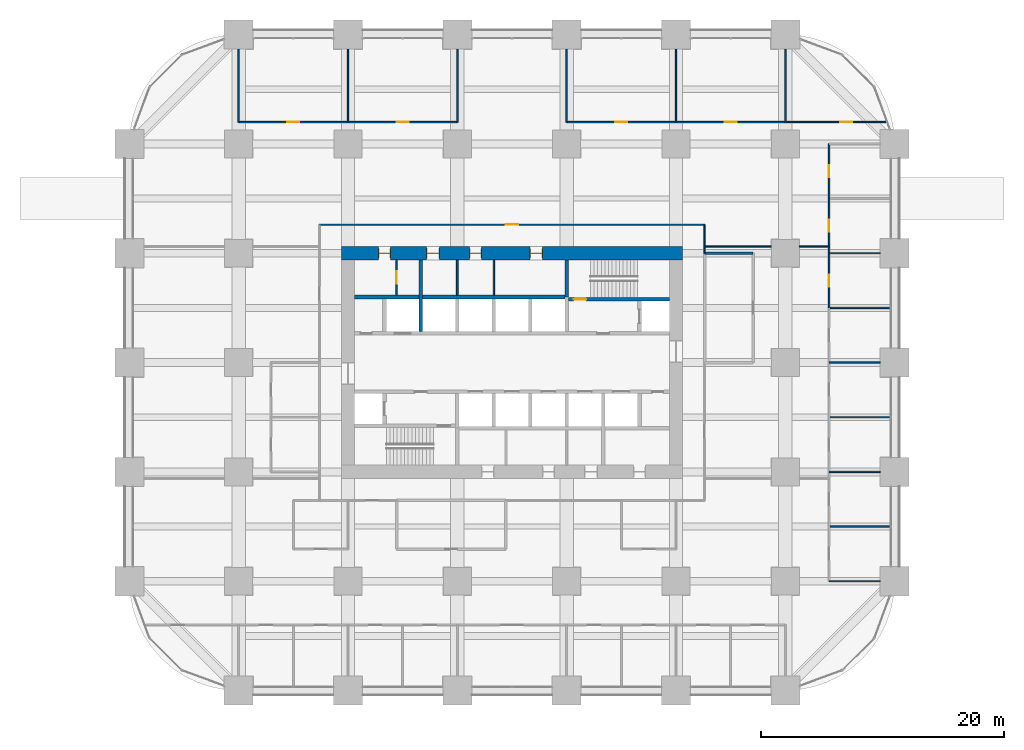
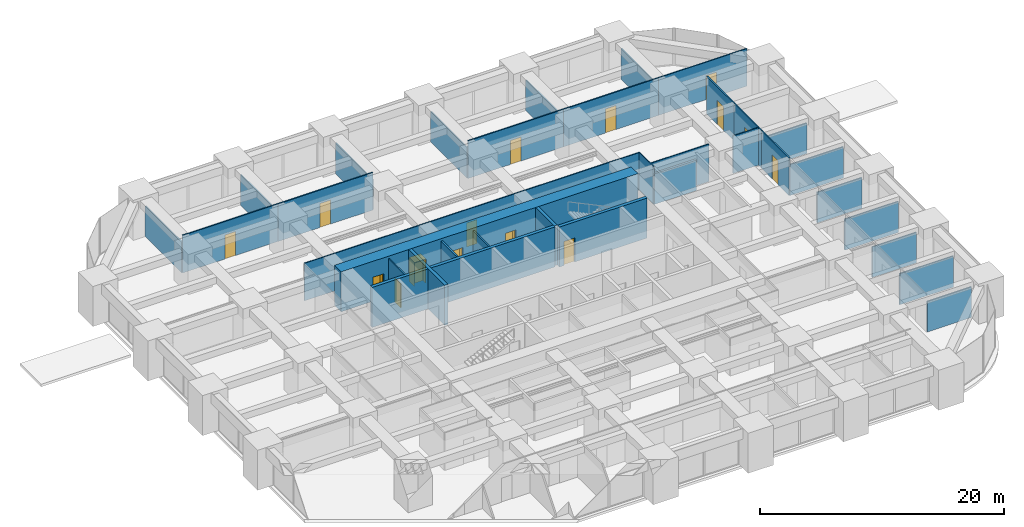
# One storey, part 36 of 39: 34 walls, 15 doors, 15 openings.
"""IFC4 building model written with IfcOpenShell, lengths in metres."""

from ifc_helpers import new_model, si_unit, direction, frame, frame_2d, origin, place, context, subcontext, project, spatial, rectangle, extrude, material, layer, layer_set, type_object, element, fill, save


model = new_model("IFC4")

# Units and contexts
model_context = context("Model", 3, precision=1e-05, world=origin(), true_north=direction((0.0, 1.0)))
body_context = subcontext(model_context, "Body", "Model", "MODEL_VIEW")
ifc_project = project(units=[si_unit("LENGTHUNIT", "METRE"), si_unit("AREAUNIT", "SQUARE_METRE"), si_unit("VOLUMEUNIT", "CUBIC_METRE"), si_unit("PLANEANGLEUNIT", "RADIAN"), si_unit("MASSUNIT", "GRAM", prefix="KILO")], contexts=[model_context])

# Site, building, storey
site_placement = place(None, origin())
site = spatial("IfcSite", under=ifc_project, at=site_placement, CompositionType="ELEMENT")
building_placement = place(site_placement, origin())
building = spatial("IfcBuilding", under=site, at=building_placement, Name="Zorevar Civic Tower", CompositionType="ELEMENT")
storey_placement = place(building_placement, frame((0.0, 0.0, 19.800048828125)))
storey = spatial("IfcBuildingStorey", under=building, at=storey_placement, Name="L04", CompositionType="ELEMENT", Elevation=19.800048828125)

# Wall
ifc_material_1 = material(Name="Concrete blockwork", Category="masonry")
ifc_layer_1 = layer(ifc_material_1, 0.199951171875)
ifc_layer_set_1 = layer_set([ifc_layer_1], Name="Blockwork wall 200")
wall_type_1 = type_object("IfcWallType", Name="Blockwork wall 200", PredefinedType="SOLIDWALL", material=ifc_layer_set_1)
wall_1_placement = place(storey_placement, frame((47.35009765625, 36.0, 0.0), z_axis=(0.0, 0.0, 1.0), x_axis=(1.0, 0.0, 0.0)))
element("IfcWall", 1, at=wall_1_placement, inside=storey, type_object=wall_type_1, Name="Blockwork wall 200 L04", PredefinedType="SOLIDWALL", context=body_context, shape_type="SweptSolid", body=[
    extrude(rectangle(XDim=4.0, YDim=0.199951171875, at=frame_2d((2.0, 0.0))), origin(), (0.0, 0.0, 1.0), 3.050048828125),
])

# Wall, openings, doors
ifc_material_2 = material(Name="Concrete C50/60", Category="concrete")
ifc_layer_2 = layer(ifc_material_2, 1.10009765625)
ifc_layer_set_2 = layer_set([ifc_layer_2], Name="Core wall 1100")
wall_type_2 = type_object("IfcWallType", Name="Core wall 1100", PredefinedType="SHEAR", material=ifc_layer_set_2)
wall_2_placement = place(storey_placement, frame((45.550048828125, 36.0, 0.0), z_axis=(0.0, 0.0, 1.0), x_axis=(-1.0, 0.0, 0.0)))
wall_2 = element("IfcWall", 2, at=wall_2_placement, inside=storey, type_object=wall_type_2, Name="Core wall N L04", PredefinedType="SHEAR", context=body_context, shape_type="SweptSolid", body=[
    extrude(rectangle(XDim=28.10009765625, YDim=1.10009765625, at=frame_2d((14.050048828125, 0.0))), origin(), (0.0, 0.0, 1.0), 4.0),
])
opening_1_placement = place(wall_2_placement, frame((11.550048828125, 0.0, 0.0)))
opening_1 = element("IfcOpeningElement", 3, at=opening_1_placement, cuts=wall_2, Name="Opening L04.07", PredefinedType="OPENING", context=body_context, shape_type="SweptSolid", body=[
    extrude(rectangle(XDim=1.0, YDim=2.39990234375, at=frame_2d((0.5, 1.199951171875))), frame((0.0, 0.56005859375, 0.0), z_axis=(0.0, -1.0, 0.0), x_axis=(1.0, 0.0, 0.0)), (0.0, 0.0, 1.0), 1.1201171875),
])
opening_2_placement = place(wall_2_placement, frame((16.550048828125, 0.0, 0.0)))
opening_2 = element("IfcOpeningElement", 4, at=opening_2_placement, cuts=wall_2, Name="Opening L04.08", PredefinedType="OPENING", context=body_context, shape_type="SweptSolid", body=[
    extrude(rectangle(XDim=1.0, YDim=2.39990234375, at=frame_2d((0.5, 1.199951171875))), frame((0.0, 0.56005859375, 0.0), z_axis=(0.0, -1.0, 0.0), x_axis=(1.0, 0.0, 0.0)), (0.0, 0.0, 1.0), 1.1201171875),
])
opening_3_placement = place(wall_2_placement, frame((20.0, 0.0, 0.0)))
opening_3 = element("IfcOpeningElement", 5, at=opening_3_placement, cuts=wall_2, Name="Opening L04.09", PredefinedType="OPENING", context=body_context, shape_type="SweptSolid", body=[
    extrude(rectangle(XDim=1.10009765625, YDim=2.39990234375, at=frame_2d((0.550048828125, 1.199951171875))), frame((0.0, 0.56005859375, 0.0), z_axis=(0.0, -1.0, 0.0), x_axis=(1.0, 0.0, 0.0)), (0.0, 0.0, 1.0), 1.1201171875),
])
opening_4_placement = place(wall_2_placement, frame((24.050048828125, 0.0, 0.0)))
opening_4 = element("IfcOpeningElement", 6, at=opening_4_placement, cuts=wall_2, Name="Opening L04.10", PredefinedType="OPENING", context=body_context, shape_type="SweptSolid", body=[
    extrude(rectangle(XDim=1.0, YDim=2.39990234375, at=frame_2d((0.5, 1.199951171875))), frame((0.0, 0.56005859375, 0.0), z_axis=(0.0, -1.0, 0.0), x_axis=(1.0, 0.0, 0.0)), (0.0, 0.0, 1.0), 1.1201171875),
])
ifc_material_3 = material(Name="Timber door set", Category="wood")
door_type_1 = type_object("IfcDoorType", Name="Door D1 1000x2400", OperationType="SINGLE_SWING_LEFT", PredefinedType="DOOR", material=ifc_material_3)
door_1_placement = place(opening_1_placement, origin())
door_1 = element("IfcDoor", 7, at=door_1_placement, inside=storey, type_object=door_type_1, Name="Door L04 06", OperationType="SINGLE_SWING_RIGHT", OverallHeight=2.39990234375, OverallWidth=1.0, PredefinedType="DOOR", context=body_context, shape_type="SweptSolid", body=[
    extrude(rectangle(XDim=1.0, YDim=2.39990234375, at=frame_2d((0.5, 1.199951171875))), frame((0.0, 0.02490234375, 0.0), z_axis=(0.0, -1.0, 0.0), x_axis=(1.0, 0.0, 0.0)), (0.0, 0.0, 1.0), 0.050048828125),
    extrude(rectangle(XDim=0.04, YDim=2.39990234375, at=frame_2d((0.02001953125, 1.199951171875))), frame((0.0, 0.39990234375, 0.0), z_axis=(0.0, -1.0, 0.0), x_axis=(1.0, 0.0, 0.0)), (0.0, 0.0, 1.0), 0.800048828125),
    extrude(rectangle(XDim=0.04, YDim=2.39990234375, at=frame_2d((0.97998046875, 1.199951171875))), frame((0.0, 0.39990234375, 0.0), z_axis=(0.0, -1.0, 0.0), x_axis=(1.0, 0.0, 0.0)), (0.0, 0.0, 1.0), 0.800048828125),
    extrude(rectangle(XDim=1.0, YDim=0.04, at=frame_2d((0.5, 2.3798828125))), frame((0.0, 0.39990234375, 0.0), z_axis=(0.0, -1.0, 0.0), x_axis=(1.0, 0.0, 0.0)), (0.0, 0.0, 1.0), 0.800048828125),
])
fill(opening_1, door_1)
door_2_placement = place(opening_2_placement, origin())
door_2 = element("IfcDoor", 8, at=door_2_placement, inside=storey, type_object=door_type_1, Name="Door L04 07", OperationType="SINGLE_SWING_LEFT", OverallHeight=2.39990234375, OverallWidth=1.0, PredefinedType="DOOR", context=body_context, shape_type="SweptSolid", body=[
    extrude(rectangle(XDim=1.0, YDim=2.39990234375, at=frame_2d((0.5, 1.199951171875))), frame((0.0, 0.02490234375, 0.0), z_axis=(0.0, -1.0, 0.0), x_axis=(1.0, 0.0, 0.0)), (0.0, 0.0, 1.0), 0.050048828125),
    extrude(rectangle(XDim=0.04, YDim=2.39990234375, at=frame_2d((0.02001953125, 1.199951171875))), frame((0.0, 0.39990234375, 0.0), z_axis=(0.0, -1.0, 0.0), x_axis=(1.0, 0.0, 0.0)), (0.0, 0.0, 1.0), 0.800048828125),
    extrude(rectangle(XDim=0.04, YDim=2.39990234375, at=frame_2d((0.97998046875, 1.199951171875))), frame((0.0, 0.39990234375, 0.0), z_axis=(0.0, -1.0, 0.0), x_axis=(1.0, 0.0, 0.0)), (0.0, 0.0, 1.0), 0.800048828125),
    extrude(rectangle(XDim=1.0, YDim=0.04, at=frame_2d((0.5, 2.3798828125))), frame((0.0, 0.39990234375, 0.0), z_axis=(0.0, -1.0, 0.0), x_axis=(1.0, 0.0, 0.0)), (0.0, 0.0, 1.0), 0.800048828125),
])
fill(opening_2, door_2)
door_3_placement = place(opening_4_placement, origin())
door_3 = element("IfcDoor", 9, at=door_3_placement, inside=storey, type_object=door_type_1, Name="Door L04 09", OperationType="SINGLE_SWING_LEFT", OverallHeight=2.39990234375, OverallWidth=1.0, PredefinedType="DOOR", context=body_context, shape_type="SweptSolid", body=[
    extrude(rectangle(XDim=1.0, YDim=2.39990234375, at=frame_2d((0.5, 1.199951171875))), frame((0.0, 0.02490234375, 0.0), z_axis=(0.0, -1.0, 0.0), x_axis=(1.0, 0.0, 0.0)), (0.0, 0.0, 1.0), 0.050048828125),
    extrude(rectangle(XDim=0.04, YDim=2.39990234375, at=frame_2d((0.02001953125, 1.199951171875))), frame((0.0, 0.39990234375, 0.0), z_axis=(0.0, -1.0, 0.0), x_axis=(1.0, 0.0, 0.0)), (0.0, 0.0, 1.0), 0.800048828125),
    extrude(rectangle(XDim=0.04, YDim=2.39990234375, at=frame_2d((0.97998046875, 1.199951171875))), frame((0.0, 0.39990234375, 0.0), z_axis=(0.0, -1.0, 0.0), x_axis=(1.0, 0.0, 0.0)), (0.0, 0.0, 1.0), 0.800048828125),
    extrude(rectangle(XDim=1.0, YDim=0.04, at=frame_2d((0.5, 2.3798828125))), frame((0.0, 0.39990234375, 0.0), z_axis=(0.0, -1.0, 0.0), x_axis=(1.0, 0.0, 0.0)), (0.0, 0.0, 1.0), 0.800048828125),
])
fill(opening_4, door_3)
ifc_material_4 = material(Name="Timber door set", Category="wood")
door_type_2 = type_object("IfcDoorType", Name="Door D5 1100x2400", OperationType="SINGLE_SWING_LEFT", PredefinedType="DOOR", material=ifc_material_4)
door_4_placement = place(opening_3_placement, origin())
door_4 = element("IfcDoor", 10, at=door_4_placement, inside=storey, type_object=door_type_2, Name="Door L04 08", OperationType="SINGLE_SWING_LEFT", OverallHeight=2.39990234375, OverallWidth=1.10009765625, PredefinedType="DOOR", context=body_context, shape_type="SweptSolid", body=[
    extrude(rectangle(XDim=1.10009765625, YDim=2.39990234375, at=frame_2d((0.550048828125, 1.199951171875))), frame((0.0, 0.02490234375, 0.0), z_axis=(0.0, -1.0, 0.0), x_axis=(1.0, 0.0, 0.0)), (0.0, 0.0, 1.0), 0.050048828125),
    extrude(rectangle(XDim=0.04, YDim=2.39990234375, at=frame_2d((0.02001953125, 1.199951171875))), frame((0.0, 0.43994140625, 0.0), z_axis=(0.0, -1.0, 0.0), x_axis=(1.0, 0.0, 0.0)), (0.0, 0.0, 1.0), 0.880126953125),
    extrude(rectangle(XDim=0.04, YDim=2.39990234375, at=frame_2d((1.080078125, 1.199951171875))), frame((0.0, 0.43994140625, 0.0), z_axis=(0.0, -1.0, 0.0), x_axis=(1.0, 0.0, 0.0)), (0.0, 0.0, 1.0), 0.880126953125),
    extrude(rectangle(XDim=1.10009765625, YDim=0.04, at=frame_2d((0.550048828125, 2.3798828125))), frame((0.0, 0.43994140625, 0.0), z_axis=(0.0, -1.0, 0.0), x_axis=(1.0, 0.0, 0.0)), (0.0, 0.0, 1.0), 0.880126953125),
])
fill(opening_3, door_4)

# Walls
ifc_material_5 = material(Name="Laminated glass in black aluminium frame", Category="aluminium")
ifc_layer_3 = layer(ifc_material_5, 0.10009765625)
ifc_layer_set_3 = layer_set([ifc_layer_3], Name="Glazed partition 100")
wall_type_3 = type_object("IfcWallType", Name="Glazed partition 100", PredefinedType="PARTITIONING", material=ifc_layer_set_3)
wall_3_placement = place(storey_placement, frame((47.35009765625, 36.550048828125, 0.0), z_axis=(0.0, 0.0, 1.0), x_axis=(1.0, 0.0, 0.0)))
element("IfcWall", 11, at=wall_3_placement, inside=storey, type_object=wall_type_3, Name="Glazed partition 100 L04", PredefinedType="PARTITIONING", context=body_context, shape_type="SweptSolid", body=[
    extrude(rectangle(XDim=5.5, YDim=0.10009765625, at=frame_2d((2.75, 0.0))), origin(), (0.0, 0.0, 1.0), 3.75),
])
wall_4_placement = place(storey_placement, frame((55.14990234375, 36.550048828125, 0.0), z_axis=(0.0, 0.0, 1.0), x_axis=(1.0, 0.0, 0.0)))
element("IfcWall", 12, at=wall_4_placement, inside=storey, type_object=wall_type_3, Name="Glazed partition 100 L04", PredefinedType="PARTITIONING", context=body_context, shape_type="SweptSolid", body=[
    extrude(rectangle(XDim=2.460205078125, YDim=0.10009765625, at=frame_2d((1.22998046875, 0.0))), origin(), (0.0, 0.0, 1.0), 3.75),
])

# Wall, opening, door
wall_5_placement = place(storey_placement, frame((15.64990234375, 38.35009765625, 0.0), z_axis=(0.0, 0.0, 1.0), x_axis=(1.0, 0.0, 0.0)))
wall_5 = element("IfcWall", 13, at=wall_5_placement, inside=storey, type_object=wall_type_3, Name="Glazed partition 100 L04", PredefinedType="PARTITIONING", context=body_context, shape_type="SweptSolid", body=[
    extrude(rectangle(XDim=31.7001953125, YDim=0.10009765625, at=frame_2d((15.85009765625, 0.0))), origin(), (0.0, 0.0, 1.0), 3.75),
])
opening_5_placement = place(wall_5_placement, frame((15.35009765625, 0.0, 0.0)))
opening_5 = element("IfcOpeningElement", 14, at=opening_5_placement, cuts=wall_5, Name="Opening L04.31", PredefinedType="OPENING", context=body_context, shape_type="SweptSolid", body=[
    extrude(rectangle(XDim=1.0, YDim=2.39990234375, at=frame_2d((0.5, 1.199951171875))), frame((0.0, 0.06005859375, 0.0), z_axis=(0.0, -1.0, 0.0), x_axis=(1.0, 0.0, 0.0)), (0.0, 0.0, 1.0), 0.1201171875),
])
ifc_material_6 = material(Name="Timber door set", Category="wood")
door_type_3 = type_object("IfcDoorType", Name="Glazed door GD1 1000x2400", OperationType="SINGLE_SWING_LEFT", PredefinedType="DOOR", material=ifc_material_6)
door_5_placement = place(opening_5_placement, origin())
door_5 = element("IfcDoor", 15, at=door_5_placement, inside=storey, type_object=door_type_3, Name="Door L04 D1", OperationType="SINGLE_SWING_LEFT", OverallHeight=2.39990234375, OverallWidth=1.0, PredefinedType="DOOR", context=body_context, shape_type="SweptSolid", body=[
    extrude(rectangle(XDim=1.0, YDim=2.39990234375, at=frame_2d((0.5, 1.199951171875))), frame((0.0, 0.02001953125, 0.0), z_axis=(0.0, -1.0, 0.0), x_axis=(1.0, 0.0, 0.0)), (0.0, 0.0, 1.0), 0.0400390625),
])
fill(opening_5, door_5)

wall_6_placement = place(storey_placement, frame((54.0, 46.800048828125, 0.0), z_axis=(0.0, 0.0, 1.0), x_axis=(1.0, 0.0, 0.0)))
wall_6 = element("IfcWall", 16, at=wall_6_placement, inside=storey, type_object=wall_type_3, Name="Glazed partition 100 L04", PredefinedType="PARTITIONING", context=body_context, shape_type="SweptSolid", body=[
    extrude(rectangle(XDim=8.359375, YDim=0.10009765625, at=frame_2d((4.1796875, 0.0))), origin(), (0.0, 0.0, 1.0), 3.75),
])
opening_6_placement = place(wall_6_placement, frame((4.5, 0.0, 0.0)))
opening_6 = element("IfcOpeningElement", 17, at=opening_6_placement, cuts=wall_6, Name="Opening L04.36", PredefinedType="OPENING", context=body_context, shape_type="SweptSolid", body=[
    extrude(rectangle(XDim=1.0, YDim=2.39990234375, at=frame_2d((0.5, 1.199951171875))), frame((0.0, 0.06005859375, 0.0), z_axis=(0.0, -1.0, 0.0), x_axis=(1.0, 0.0, 0.0)), (0.0, 0.0, 1.0), 0.1201171875),
])
door_6_placement = place(opening_6_placement, origin())
door_6 = element("IfcDoor", 18, at=door_6_placement, inside=storey, type_object=door_type_3, Name="Door L04 D1", OperationType="SINGLE_SWING_RIGHT", OverallHeight=2.39990234375, OverallWidth=1.0, PredefinedType="DOOR", context=body_context, shape_type="SweptSolid", body=[
    extrude(rectangle(XDim=1.0, YDim=2.39990234375, at=frame_2d((0.5, 1.199951171875))), frame((0.0, 0.02001953125, 0.0), z_axis=(0.0, -1.0, 0.0), x_axis=(1.0, 0.0, 0.0)), (0.0, 0.0, 1.0), 0.0400390625),
])
fill(opening_6, door_6)

# Wall
wall_7_placement = place(storey_placement, frame((47.35009765625, 36.0, 0.0), z_axis=(0.0, 0.0, 1.0), x_axis=(0.0, 1.0, 0.0)))
element("IfcWall", 19, at=wall_7_placement, inside=storey, type_object=wall_type_3, Name="Glazed partition 100 L04", PredefinedType="PARTITIONING", context=body_context, shape_type="SweptSolid", body=[
    extrude(rectangle(XDim=2.35009765625, YDim=0.10009765625, at=frame_2d((1.175048828125, 0.0))), origin(), (0.0, 0.0, 1.0), 3.75),
])

# Wall, opening, door
ifc_material_7 = material(Name="Concrete C40/50", Category="concrete")
ifc_layer_4 = layer(ifc_material_7, 0.300048828125)
ifc_layer_set_4 = layer_set([ifc_layer_4], Name="Inner core wall 300")
wall_type_4 = type_object("IfcWallType", Name="Inner core wall 300", PredefinedType="SHEAR", material=ifc_layer_set_4)
wall_8_placement = place(storey_placement, frame((36.14990234375, 32.199951171875, 0.0), z_axis=(0.0, 0.0, 1.0), x_axis=(1.0, 0.0, 0.0)))
wall_8 = element("IfcWall", 20, at=wall_8_placement, inside=storey, type_object=wall_type_4, Name="Inner core wall N00 L04", PredefinedType="SHEAR", context=body_context, shape_type="SweptSolid", body=[
    extrude(rectangle(XDim=8.300048828125, YDim=0.300048828125, at=frame_2d((4.14990234375, 0.0))), origin(), (0.0, 0.0, 1.0), 4.0),
])
opening_7_placement = place(wall_8_placement, frame((0.449951171875, 0.0, 0.0)))
opening_7 = element("IfcOpeningElement", 21, at=opening_7_placement, cuts=wall_8, Name="Opening L04.12", PredefinedType="OPENING", context=body_context, shape_type="SweptSolid", body=[
    extrude(rectangle(XDim=1.0, YDim=2.39990234375, at=frame_2d((0.5, 1.199951171875))), frame((0.0, 0.159912109375, 0.0), z_axis=(0.0, -1.0, 0.0), x_axis=(1.0, 0.0, 0.0)), (0.0, 0.0, 1.0), 0.320068359375),
])
ifc_material_8 = material(Name="Steel door set", Category="steel")
door_type_4 = type_object("IfcDoorType", Name="Fire door FD1 1000x2400", OperationType="SINGLE_SWING_LEFT", PredefinedType="DOOR", material=ifc_material_8)
door_7_placement = place(opening_7_placement, origin())
door_7 = element("IfcDoor", 22, at=door_7_placement, inside=storey, type_object=door_type_4, Name="Door L04 11", OperationType="SINGLE_SWING_RIGHT", OverallHeight=2.39990234375, OverallWidth=1.0, PredefinedType="DOOR", context=body_context, shape_type="SweptSolid", body=[
    extrude(rectangle(XDim=1.0, YDim=2.39990234375, at=frame_2d((0.5, 1.199951171875))), frame((0.0, 0.030029296875, 0.0), z_axis=(0.0, -1.0, 0.0), x_axis=(1.0, 0.0, 0.0)), (0.0, 0.0, 1.0), 0.06005859375),
])
fill(opening_7, door_7)

# Walls
wall_9_placement = place(storey_placement, frame((36.0, 32.39990234375, 0.0), z_axis=(0.0, 0.0, 1.0), x_axis=(0.0, 1.0, 0.0)))
element("IfcWall", 23, at=wall_9_placement, inside=storey, type_object=wall_type_4, Name="Inner core wall N01 L04", PredefinedType="SHEAR", context=body_context, shape_type="SweptSolid", body=[
    extrude(rectangle(XDim=3.050048828125, YDim=0.300048828125, at=frame_2d((1.52490234375, 0.0))), origin(), (0.0, 0.0, 1.0), 4.0),
])
wall_10_placement = place(storey_placement, frame((18.550048828125, 32.39990234375, 0.0), z_axis=(0.0, 0.0, 1.0), x_axis=(1.0, 0.0, 0.0)))
element("IfcWall", 24, at=wall_10_placement, inside=storey, type_object=wall_type_4, Name="Inner core wall N04 L04", PredefinedType="SHEAR", context=body_context, shape_type="SweptSolid", body=[
    extrude(rectangle(XDim=17.300048828125, YDim=0.300048828125, at=frame_2d((8.64990234375, 0.0))), origin(), (0.0, 0.0, 1.0), 4.0),
])
wall_11_placement = place(storey_placement, frame((24.0, 29.550048828125, 0.0), z_axis=(0.0, 0.0, 1.0), x_axis=(0.0, 1.0, 0.0)))
element("IfcWall", 25, at=wall_11_placement, inside=storey, type_object=wall_type_4, Name="Inner core wall N08 L04", PredefinedType="SHEAR", context=body_context, shape_type="SweptSolid", body=[
    extrude(rectangle(XDim=5.89990234375, YDim=0.300048828125, at=frame_2d((2.949951171875, 0.0))), origin(), (0.0, 0.0, 1.0), 4.0),
])
ifc_material_9 = material(Name="Gypsum board on steel studs", Category="steel")
ifc_layer_5 = layer(ifc_material_9, 0.1201171875)
ifc_layer_set_5 = layer_set([ifc_layer_5], Name="Partition 120")
wall_type_5 = type_object("IfcWallType", Name="Partition 120", PredefinedType="PARTITIONING", material=ifc_layer_set_5)
wall_12_placement = place(storey_placement, frame((57.60009765625, 9.0, 0.0), z_axis=(0.0, 0.0, 1.0), x_axis=(1.0, 0.0, 0.0)))
element("IfcWall", 26, at=wall_12_placement, inside=storey, type_object=wall_type_5, Name="Partition 120 L04", PredefinedType="PARTITIONING", context=body_context, shape_type="SweptSolid", body=[
    extrude(rectangle(XDim=4.199951171875, YDim=0.1201171875, at=frame_2d((2.10009765625, 0.0))), origin(), (0.0, 0.0, 1.0), 3.050048828125),
])
wall_13_placement = place(storey_placement, frame((57.60009765625, 13.5, 0.0), z_axis=(0.0, 0.0, 1.0), x_axis=(1.0, 0.0, 0.0)))
element("IfcWall", 27, at=wall_13_placement, inside=storey, type_object=wall_type_5, Name="Partition 120 L04", PredefinedType="PARTITIONING", context=body_context, shape_type="SweptSolid", body=[
    extrude(rectangle(XDim=5.08984375, YDim=0.1201171875, at=frame_2d((2.544921875, 0.0))), origin(), (0.0, 0.0, 1.0), 3.099853515625),
])
wall_14_placement = place(storey_placement, frame((57.60009765625, 18.0, 0.0), z_axis=(0.0, 0.0, 1.0), x_axis=(1.0, 0.0, 0.0)))
element("IfcWall", 28, at=wall_14_placement, inside=storey, type_object=wall_type_5, Name="Partition 120 L04", PredefinedType="PARTITIONING", context=body_context, shape_type="SweptSolid", body=[
    extrude(rectangle(XDim=4.199951171875, YDim=0.1201171875, at=frame_2d((2.10009765625, 0.0))), origin(), (0.0, 0.0, 1.0), 3.050048828125),
])
wall_15_placement = place(storey_placement, frame((57.60009765625, 22.5, 0.0), z_axis=(0.0, 0.0, 1.0), x_axis=(1.0, 0.0, 0.0)))
element("IfcWall", 29, at=wall_15_placement, inside=storey, type_object=wall_type_5, Name="Partition 120 L04", PredefinedType="PARTITIONING", context=body_context, shape_type="SweptSolid", body=[
    extrude(rectangle(XDim=5.08984375, YDim=0.1201171875, at=frame_2d((2.544921875, 0.0))), origin(), (0.0, 0.0, 1.0), 3.099853515625),
])
wall_16_placement = place(storey_placement, frame((57.60009765625, 27.0, 0.0), z_axis=(0.0, 0.0, 1.0), x_axis=(1.0, 0.0, 0.0)))
element("IfcWall", 30, at=wall_16_placement, inside=storey, type_object=wall_type_5, Name="Partition 120 L04", PredefinedType="PARTITIONING", context=body_context, shape_type="SweptSolid", body=[
    extrude(rectangle(XDim=4.199951171875, YDim=0.1201171875, at=frame_2d((2.10009765625, 0.0))), origin(), (0.0, 0.0, 1.0), 3.050048828125),
])
wall_17_placement = place(storey_placement, frame((57.60009765625, 31.5, 0.0), z_axis=(0.0, 0.0, 1.0), x_axis=(1.0, 0.0, 0.0)))
element("IfcWall", 31, at=wall_17_placement, inside=storey, type_object=wall_type_5, Name="Partition 120 L04", PredefinedType="PARTITIONING", context=body_context, shape_type="SweptSolid", body=[
    extrude(rectangle(XDim=5.08984375, YDim=0.1201171875, at=frame_2d((2.544921875, 0.0))), origin(), (0.0, 0.0, 1.0), 3.099853515625),
])
wall_18_placement = place(storey_placement, frame((57.60009765625, 36.0, 0.0), z_axis=(0.0, 0.0, 1.0), x_axis=(1.0, 0.0, 0.0)))
element("IfcWall", 32, at=wall_18_placement, inside=storey, type_object=wall_type_5, Name="Partition 120 L04", PredefinedType="PARTITIONING", context=body_context, shape_type="SweptSolid", body=[
    extrude(rectangle(XDim=4.199951171875, YDim=0.1201171875, at=frame_2d((2.10009765625, 0.0))), origin(), (0.0, 0.0, 1.0), 3.050048828125),
])

# Wall, opening, door
wall_19_placement = place(storey_placement, frame((9.0, 46.800048828125, 0.0), z_axis=(0.0, 0.0, 1.0), x_axis=(1.0, 0.0, 0.0)))
wall_19 = element("IfcWall", 33, at=wall_19_placement, inside=storey, type_object=wall_type_5, Name="Partition 120 L04", PredefinedType="PARTITIONING", context=body_context, shape_type="SweptSolid", body=[
    extrude(rectangle(XDim=9.0, YDim=0.1201171875, at=frame_2d((4.5, 0.0))), origin(), (0.0, 0.0, 1.0), 3.75),
])
opening_8_placement = place(wall_19_placement, frame((4.0, 0.0, 0.0)))
opening_8 = element("IfcOpeningElement", 34, at=opening_8_placement, cuts=wall_19, Name="Opening L04.32", PredefinedType="OPENING", context=body_context, shape_type="SweptSolid", body=[
    extrude(rectangle(XDim=1.0, YDim=2.39990234375, at=frame_2d((0.5, 1.199951171875))), frame((0.0, 0.070068359375, 0.0), z_axis=(0.0, -1.0, 0.0), x_axis=(1.0, 0.0, 0.0)), (0.0, 0.0, 1.0), 0.14013671875),
])
door_8_placement = place(opening_8_placement, origin())
door_8 = element("IfcDoor", 35, at=door_8_placement, inside=storey, type_object=door_type_1, Name="Door L04 D1", OperationType="SINGLE_SWING_LEFT", OverallHeight=2.39990234375, OverallWidth=1.0, PredefinedType="DOOR", context=body_context, shape_type="SweptSolid", body=[
    extrude(rectangle(XDim=1.0, YDim=2.39990234375, at=frame_2d((0.5, 1.199951171875))), frame((0.0, 0.02490234375, 0.0), z_axis=(0.0, -1.0, 0.0), x_axis=(1.0, 0.0, 0.0)), (0.0, 0.0, 1.0), 0.050048828125),
])
fill(opening_8, door_8)

wall_20_placement = place(storey_placement, frame((18.0, 46.800048828125, 0.0), z_axis=(0.0, 0.0, 1.0), x_axis=(1.0, 0.0, 0.0)))
wall_20 = element("IfcWall", 36, at=wall_20_placement, inside=storey, type_object=wall_type_5, Name="Partition 120 L04", PredefinedType="PARTITIONING", context=body_context, shape_type="SweptSolid", body=[
    extrude(rectangle(XDim=9.0, YDim=0.1201171875, at=frame_2d((4.5, 0.0))), origin(), (0.0, 0.0, 1.0), 3.75),
])
opening_9_placement = place(wall_20_placement, frame((4.0, 0.0, 0.0)))
opening_9 = element("IfcOpeningElement", 37, at=opening_9_placement, cuts=wall_20, Name="Opening L04.33", PredefinedType="OPENING", context=body_context, shape_type="SweptSolid", body=[
    extrude(rectangle(XDim=1.0, YDim=2.39990234375, at=frame_2d((0.5, 1.199951171875))), frame((0.0, 0.070068359375, 0.0), z_axis=(0.0, -1.0, 0.0), x_axis=(1.0, 0.0, 0.0)), (0.0, 0.0, 1.0), 0.14013671875),
])
door_9_placement = place(opening_9_placement, origin())
door_9 = element("IfcDoor", 38, at=door_9_placement, inside=storey, type_object=door_type_1, Name="Door L04 D1", OperationType="SINGLE_SWING_LEFT", OverallHeight=2.39990234375, OverallWidth=1.0, PredefinedType="DOOR", context=body_context, shape_type="SweptSolid", body=[
    extrude(rectangle(XDim=1.0, YDim=2.39990234375, at=frame_2d((0.5, 1.199951171875))), frame((0.0, 0.02490234375, 0.0), z_axis=(0.0, -1.0, 0.0), x_axis=(1.0, 0.0, 0.0)), (0.0, 0.0, 1.0), 0.050048828125),
])
fill(opening_9, door_9)

wall_21_placement = place(storey_placement, frame((36.0, 46.800048828125, 0.0), z_axis=(0.0, 0.0, 1.0), x_axis=(1.0, 0.0, 0.0)))
wall_21 = element("IfcWall", 39, at=wall_21_placement, inside=storey, type_object=wall_type_5, Name="Partition 120 L04", PredefinedType="PARTITIONING", context=body_context, shape_type="SweptSolid", body=[
    extrude(rectangle(XDim=9.0, YDim=0.1201171875, at=frame_2d((4.5, 0.0))), origin(), (0.0, 0.0, 1.0), 3.75),
])
opening_10_placement = place(wall_21_placement, frame((4.0, 0.0, 0.0)))
opening_10 = element("IfcOpeningElement", 40, at=opening_10_placement, cuts=wall_21, Name="Opening L04.34", PredefinedType="OPENING", context=body_context, shape_type="SweptSolid", body=[
    extrude(rectangle(XDim=1.0, YDim=2.39990234375, at=frame_2d((0.5, 1.199951171875))), frame((0.0, 0.070068359375, 0.0), z_axis=(0.0, -1.0, 0.0), x_axis=(1.0, 0.0, 0.0)), (0.0, 0.0, 1.0), 0.14013671875),
])
door_10_placement = place(opening_10_placement, origin())
door_10 = element("IfcDoor", 41, at=door_10_placement, inside=storey, type_object=door_type_1, Name="Door L04 D1", OperationType="SINGLE_SWING_RIGHT", OverallHeight=2.39990234375, OverallWidth=1.0, PredefinedType="DOOR", context=body_context, shape_type="SweptSolid", body=[
    extrude(rectangle(XDim=1.0, YDim=2.39990234375, at=frame_2d((0.5, 1.199951171875))), frame((0.0, 0.02490234375, 0.0), z_axis=(0.0, -1.0, 0.0), x_axis=(1.0, 0.0, 0.0)), (0.0, 0.0, 1.0), 0.050048828125),
])
fill(opening_10, door_10)

wall_22_placement = place(storey_placement, frame((45.0, 46.800048828125, 0.0), z_axis=(0.0, 0.0, 1.0), x_axis=(1.0, 0.0, 0.0)))
wall_22 = element("IfcWall", 42, at=wall_22_placement, inside=storey, type_object=wall_type_5, Name="Partition 120 L04", PredefinedType="PARTITIONING", context=body_context, shape_type="SweptSolid", body=[
    extrude(rectangle(XDim=9.0, YDim=0.1201171875, at=frame_2d((4.5, 0.0))), origin(), (0.0, 0.0, 1.0), 3.75),
])
opening_11_placement = place(wall_22_placement, frame((4.0, 0.0, 0.0)))
opening_11 = element("IfcOpeningElement", 43, at=opening_11_placement, cuts=wall_22, Name="Opening L04.35", PredefinedType="OPENING", context=body_context, shape_type="SweptSolid", body=[
    extrude(rectangle(XDim=1.0, YDim=2.39990234375, at=frame_2d((0.5, 1.199951171875))), frame((0.0, 0.070068359375, 0.0), z_axis=(0.0, -1.0, 0.0), x_axis=(1.0, 0.0, 0.0)), (0.0, 0.0, 1.0), 0.14013671875),
])
door_11_placement = place(opening_11_placement, origin())
door_11 = element("IfcDoor", 44, at=door_11_placement, inside=storey, type_object=door_type_1, Name="Door L04 D1", OperationType="SINGLE_SWING_RIGHT", OverallHeight=2.39990234375, OverallWidth=1.0, PredefinedType="DOOR", context=body_context, shape_type="SweptSolid", body=[
    extrude(rectangle(XDim=1.0, YDim=2.39990234375, at=frame_2d((0.5, 1.199951171875))), frame((0.0, 0.02490234375, 0.0), z_axis=(0.0, -1.0, 0.0), x_axis=(1.0, 0.0, 0.0)), (0.0, 0.0, 1.0), 0.050048828125),
])
fill(opening_11, door_11)

# Walls
for number, where, z_axis, x_axis, name in (
    (45, (9.0, 46.800048828125, 0.0), (0.0, 0.0, 1.0), (0.0, 1.0, 0.0), "Partition 120 L04"),
    (46, (18.0, 46.800048828125, 0.0), (0.0, 0.0, 1.0), (0.0, 1.0, 0.0), "Partition 120 L04"),
    (47, (27.0, 46.800048828125, 0.0), (0.0, 0.0, 1.0), (0.0, 1.0, 0.0), "Partition 120 L04"),
    (48, (36.0, 46.800048828125, 0.0), (0.0, 0.0, 1.0), (0.0, 1.0, 0.0), "Partition 120 L04"),
    (49, (45.0, 46.800048828125, 0.0), (0.0, 0.0, 1.0), (0.0, 1.0, 0.0), "Partition 120 L04"),
    (50, (54.0, 46.800048828125, 0.0), (0.0, 0.0, 1.0), (0.0, 1.0, 0.0), "Partition 120 L04"),
):
    element("IfcWall", number, at=place(storey_placement, frame(where, z_axis=z_axis, x_axis=x_axis)), inside=storey, type_object=wall_type_5, Name=name, PredefinedType="PARTITIONING", context=body_context, shape_type="SweptSolid", body=[
        extrude(rectangle(XDim=6.0, YDim=0.1201171875, at=frame_2d((3.0, 0.0))), origin(), (0.0, 0.0, 1.0), 3.050048828125),
    ])

# Wall, opening, door
wall_23_placement = place(storey_placement, frame((57.60009765625, 31.5, 0.0), z_axis=(0.0, 0.0, 1.0), x_axis=(0.0, 1.0, 0.0)))
wall_23 = element("IfcWall", 51, at=wall_23_placement, inside=storey, type_object=wall_type_5, Name="Partition 120 L04", PredefinedType="PARTITIONING", context=body_context, shape_type="SweptSolid", body=[
    extrude(rectangle(XDim=4.5, YDim=0.1201171875, at=frame_2d((2.25, 0.0))), origin(), (0.0, 0.0, 1.0), 3.75),
])
opening_12_placement = place(wall_23_placement, frame((1.75, 0.0, 0.0)))
opening_12 = element("IfcOpeningElement", 52, at=opening_12_placement, cuts=wall_23, Name="Opening L04.47", PredefinedType="OPENING", context=body_context, shape_type="SweptSolid", body=[
    extrude(rectangle(XDim=1.0, YDim=2.39990234375, at=frame_2d((0.5, 1.199951171875))), frame((0.0, 0.070068359375, 0.0), z_axis=(0.0, -1.0, 0.0), x_axis=(1.0, 0.0, 0.0)), (0.0, 0.0, 1.0), 0.14013671875),
])
door_12_placement = place(opening_12_placement, origin())
door_12 = element("IfcDoor", 53, at=door_12_placement, inside=storey, type_object=door_type_1, Name="Door L04 D1", OperationType="SINGLE_SWING_LEFT", OverallHeight=2.39990234375, OverallWidth=1.0, PredefinedType="DOOR", context=body_context, shape_type="SweptSolid", body=[
    extrude(rectangle(XDim=1.0, YDim=2.39990234375, at=frame_2d((0.5, 1.199951171875))), frame((0.0, 0.02490234375, 0.0), z_axis=(0.0, -1.0, 0.0), x_axis=(1.0, 0.0, 0.0)), (0.0, 0.0, 1.0), 0.050048828125),
])
fill(opening_12, door_12)

wall_24_placement = place(storey_placement, frame((57.60009765625, 36.0, 0.0), z_axis=(0.0, 0.0, 1.0), x_axis=(0.0, 1.0, 0.0)))
wall_24 = element("IfcWall", 54, at=wall_24_placement, inside=storey, type_object=wall_type_5, Name="Partition 120 L04", PredefinedType="PARTITIONING", context=body_context, shape_type="SweptSolid", body=[
    extrude(rectangle(XDim=4.5, YDim=0.1201171875, at=frame_2d((2.25, 0.0))), origin(), (0.0, 0.0, 1.0), 3.75),
])
opening_13_placement = place(wall_24_placement, frame((1.75, 0.0, 0.0)))
opening_13 = element("IfcOpeningElement", 55, at=opening_13_placement, cuts=wall_24, Name="Opening L04.48", PredefinedType="OPENING", context=body_context, shape_type="SweptSolid", body=[
    extrude(rectangle(XDim=1.0, YDim=2.39990234375, at=frame_2d((0.5, 1.199951171875))), frame((0.0, 0.070068359375, 0.0), z_axis=(0.0, -1.0, 0.0), x_axis=(1.0, 0.0, 0.0)), (0.0, 0.0, 1.0), 0.14013671875),
])
door_13_placement = place(opening_13_placement, origin())
door_13 = element("IfcDoor", 56, at=door_13_placement, inside=storey, type_object=door_type_1, Name="Door L04 D1", OperationType="SINGLE_SWING_RIGHT", OverallHeight=2.39990234375, OverallWidth=1.0, PredefinedType="DOOR", context=body_context, shape_type="SweptSolid", body=[
    extrude(rectangle(XDim=1.0, YDim=2.39990234375, at=frame_2d((0.5, 1.199951171875))), frame((0.0, 0.02490234375, 0.0), z_axis=(0.0, -1.0, 0.0), x_axis=(1.0, 0.0, 0.0)), (0.0, 0.0, 1.0), 0.050048828125),
])
fill(opening_13, door_13)

wall_25_placement = place(storey_placement, frame((57.60009765625, 40.5, 0.0), z_axis=(0.0, 0.0, 1.0), x_axis=(0.0, 1.0, 0.0)))
wall_25 = element("IfcWall", 57, at=wall_25_placement, inside=storey, type_object=wall_type_5, Name="Partition 120 L04", PredefinedType="PARTITIONING", context=body_context, shape_type="SweptSolid", body=[
    extrude(rectangle(XDim=4.5, YDim=0.1201171875, at=frame_2d((2.25, 0.0))), origin(), (0.0, 0.0, 1.0), 3.75),
])
opening_14_placement = place(wall_25_placement, frame((1.75, 0.0, 0.0)))
opening_14 = element("IfcOpeningElement", 58, at=opening_14_placement, cuts=wall_25, Name="Opening L04.49", PredefinedType="OPENING", context=body_context, shape_type="SweptSolid", body=[
    extrude(rectangle(XDim=1.0, YDim=2.39990234375, at=frame_2d((0.5, 1.199951171875))), frame((0.0, 0.070068359375, 0.0), z_axis=(0.0, -1.0, 0.0), x_axis=(1.0, 0.0, 0.0)), (0.0, 0.0, 1.0), 0.14013671875),
])
door_14_placement = place(opening_14_placement, origin())
door_14 = element("IfcDoor", 59, at=door_14_placement, inside=storey, type_object=door_type_1, Name="Door L04 D1", OperationType="SINGLE_SWING_LEFT", OverallHeight=2.39990234375, OverallWidth=1.0, PredefinedType="DOOR", context=body_context, shape_type="SweptSolid", body=[
    extrude(rectangle(XDim=1.0, YDim=2.39990234375, at=frame_2d((0.5, 1.199951171875))), frame((0.0, 0.02490234375, 0.0), z_axis=(0.0, -1.0, 0.0), x_axis=(1.0, 0.0, 0.0)), (0.0, 0.0, 1.0), 0.050048828125),
])
fill(opening_14, door_14)

# Wall
wall_26_placement = place(storey_placement, frame((30.0, 32.550048828125, 0.0), z_axis=(0.0, 0.0, 1.0), x_axis=(0.0, 1.0, 0.0)))
element("IfcWall", 60, at=wall_26_placement, inside=storey, type_object=wall_type_5, Name="Partition L04", PredefinedType="PARTITIONING", context=body_context, shape_type="SweptSolid", body=[
    extrude(rectangle(XDim=2.89990234375, YDim=0.1201171875, at=frame_2d((1.449951171875, 0.0))), origin(), (0.0, 0.0, 1.0), 3.75),
])

# Wall, opening, door
wall_27_placement = place(storey_placement, frame((22.0, 32.550048828125, 0.0), z_axis=(0.0, 0.0, 1.0), x_axis=(0.0, 1.0, 0.0)))
wall_27 = element("IfcWall", 61, at=wall_27_placement, inside=storey, type_object=wall_type_5, Name="Partition L04", PredefinedType="PARTITIONING", context=body_context, shape_type="SweptSolid", body=[
    extrude(rectangle(XDim=2.89990234375, YDim=0.1201171875, at=frame_2d((1.449951171875, 0.0))), origin(), (0.0, 0.0, 1.0), 3.75),
])
opening_15_placement = place(wall_27_placement, frame((0.949951171875, 0.0, 0.0)))
opening_15 = element("IfcOpeningElement", 62, at=opening_15_placement, cuts=wall_27, Name="Opening L04.50", PredefinedType="OPENING", context=body_context, shape_type="SweptSolid", body=[
    extrude(rectangle(XDim=1.0, YDim=2.39990234375, at=frame_2d((0.5, 1.199951171875))), frame((0.0, 0.070068359375, 0.0), z_axis=(0.0, -1.0, 0.0), x_axis=(1.0, 0.0, 0.0)), (0.0, 0.0, 1.0), 0.14013671875),
])
door_15_placement = place(opening_15_placement, origin())
door_15 = element("IfcDoor", 63, at=door_15_placement, inside=storey, type_object=door_type_4, Name="Door L04 EN", OperationType="SINGLE_SWING_LEFT", OverallHeight=2.39990234375, OverallWidth=1.0, PredefinedType="DOOR", context=body_context, shape_type="SweptSolid", body=[
    extrude(rectangle(XDim=1.0, YDim=2.39990234375, at=frame_2d((0.5, 1.199951171875))), frame((0.0, 0.030029296875, 0.0), z_axis=(0.0, -1.0, 0.0), x_axis=(1.0, 0.0, 0.0)), (0.0, 0.0, 1.0), 0.06005859375),
])
fill(opening_15, door_15)

# Wall
ifc_material_10 = material(Name="Gypsum board on steel studs, moisture resistant", Category="steel")
ifc_layer_6 = layer(ifc_material_10, 0.14990234375)
ifc_layer_set_6 = layer_set([ifc_layer_6], Name="WC partition 150")
wall_type_6 = type_object("IfcWallType", Name="WC partition 150", PredefinedType="PARTITIONING", material=ifc_layer_set_6)
wall_28_placement = place(storey_placement, frame((27.0, 32.550048828125, 0.0), z_axis=(0.0, 0.0, 1.0), x_axis=(0.0, 1.0, 0.0)))
element("IfcWall", 64, at=wall_28_placement, inside=storey, type_object=wall_type_6, Name="WC partition L04", PredefinedType="PARTITIONING", context=body_context, shape_type="SweptSolid", body=[
    extrude(rectangle(XDim=2.89990234375, YDim=0.14990234375, at=frame_2d((1.449951171875, 0.0))), origin(), (0.0, 0.0, 1.0), 3.75),
])

save(model, "model.ifc")
